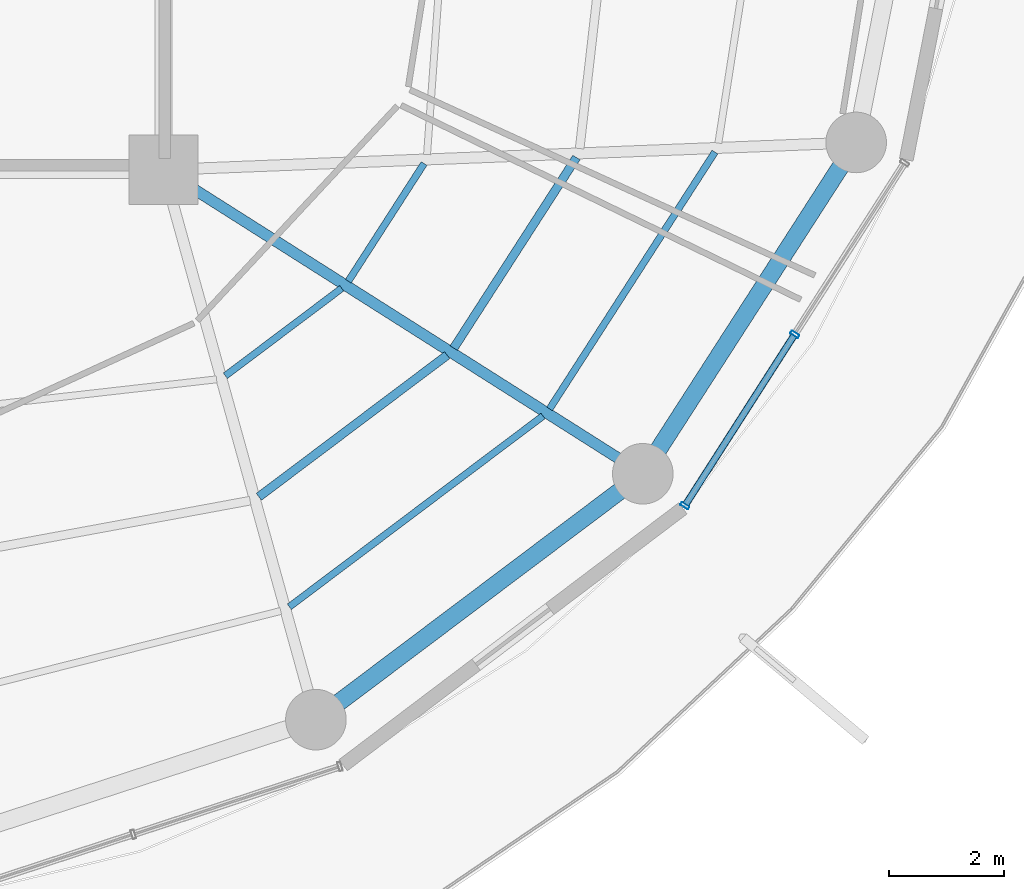
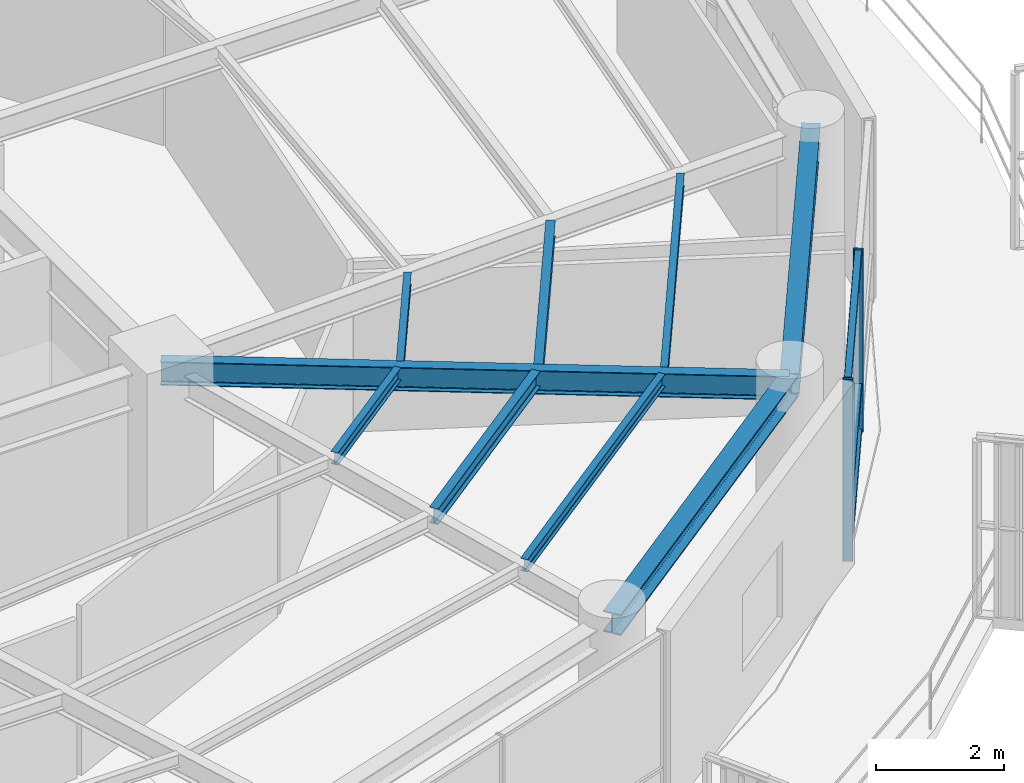
# One storey, part 11 of 30: 9 beams, 5 members, 1 element without a shape of its own.
"""IFC4 building model written with IfcOpenShell, lengths in metres."""

from ifc_helpers import new_model, si_unit, direction, frame, origin, origin_2d, place, context, subcontext, project, spatial, hollow_rectangle, i_section, extrude, material, layer, layer_set, material_profile, profile_set, type_object, element, aggregate, save


model = new_model("IFC4")

# Units and contexts
model_context = context("Model", 3, precision=1e-05, world=origin(), true_north=direction((0.0, 1.0)))
body_context = subcontext(model_context, "Body", "Model", "MODEL_VIEW")
ifc_project = project(units=[si_unit("LENGTHUNIT", "METRE"), si_unit("AREAUNIT", "SQUARE_METRE"), si_unit("VOLUMEUNIT", "CUBIC_METRE"), si_unit("PLANEANGLEUNIT", "RADIAN"), si_unit("MASSUNIT", "GRAM", prefix="KILO")], contexts=[model_context])

# Site, building, storey
site_placement = place(None, origin())
site = spatial("IfcSite", under=ifc_project, at=site_placement, CompositionType="ELEMENT")
building_placement = place(site_placement, origin())
building = spatial("IfcBuilding", under=site, at=building_placement, Name="Kelanora Arch Commons", CompositionType="ELEMENT")
storey_placement = place(building_placement, frame((0.0, 0.0, 211.949951171875)))
storey = spatial("IfcBuildingStorey", under=building, at=storey_placement, Name="L54", CompositionType="ELEMENT", Elevation=211.949951171875)

# Beams
ifc_material_1 = material(Name="Steel S355", Category="steel")
ifc_material_profile_1 = material_profile(ifc_material_1, i_section(OverallWidth=0.14990234375, OverallDepth=0.300048828125, WebThickness=0.007080078125, FlangeThickness=0.0107421875, FilletRadius=0.014892578125, at=origin_2d()), Name="IPE300")
ifc_profile_set_1 = profile_set([ifc_material_profile_1], Name="Steel S355")
beam_type_1 = type_object("IfcBeamType", Name="BM-JST-01", PredefinedType="JOIST", material=ifc_profile_set_1)
beam_1_placement = place(storey_placement, frame((83.65185546875, 45.3369140625, 3.340087890625), z_axis=(0.799101708656, 0.601195857624, 0.0), x_axis=(-0.601195857624, 0.799101708656, 0.0)))
element("IfcBeam", 1, at=beam_1_placement, inside=storey, type_object=beam_type_1, Name="Secondary Chord Joist BJB-30 L54", PredefinedType="JOIST", context=body_context, shape_type="SweptSolid", body=[
    extrude(i_section(OverallWidth=0.14990234375, OverallDepth=0.300048828125, WebThickness=0.007080078125, FlangeThickness=0.0107421875, FilletRadius=0.014892578125, at=origin_2d()), origin(), (0.0, 0.0, 1.0), 4.080810546875),
])
beam_2_placement = place(storey_placement, frame((87.02685546875, 47.912841796875, 3.340087890625), z_axis=(0.541411265892, 0.840757896879, 0.0), x_axis=(-0.840757896879, 0.541411265892, 0.0)))
element("IfcBeam", 2, at=beam_2_placement, inside=storey, type_object=beam_type_1, Name="Secondary Chord Joist BJB-32 L54", PredefinedType="JOIST", context=body_context, shape_type="SweptSolid", body=[
    extrude(i_section(OverallWidth=0.14990234375, OverallDepth=0.300048828125, WebThickness=0.007080078125, FlangeThickness=0.0107421875, FilletRadius=0.014892578125, at=origin_2d()), origin(), (0.0, 0.0, 1.0), 3.92529296875),
])
ifc_material_profile_2 = material_profile(ifc_material_1, i_section(OverallWidth=0.1201171875, OverallDepth=0.239990234375, WebThickness=0.006103515625, FlangeThickness=0.009765625, FilletRadius=0.014892578125, at=origin_2d()), Name="IPE240")
ifc_profile_set_2 = profile_set([ifc_material_profile_2], Name="Steel S355")
beam_type_2 = type_object("IfcBeamType", Name="BM-JST-02", PredefinedType="JOIST", material=ifc_profile_set_2)
beam_3_placement = place(storey_placement, frame((83.071044921875, 47.43212890625, 3.3701171875), z_axis=(0.79911638933, 0.601176343766, 0.0), x_axis=(-0.601176343766, 0.79911638933, 0.0)))
element("IfcBeam", 3, at=beam_3_placement, inside=storey, type_object=beam_type_2, Name="Secondary Chord Joist BJA-30 L54", PredefinedType="JOIST", context=body_context, shape_type="SweptSolid", body=[
    extrude(i_section(OverallWidth=0.1201171875, OverallDepth=0.239990234375, WebThickness=0.006103515625, FlangeThickness=0.009765625, FilletRadius=0.014892578125, at=origin_2d()), origin(), (0.0, 0.0, 1.0), 2.522216796875),
])
beam_4_placement = place(storey_placement, frame((84.179931640625, 43.43212890625, 3.3701171875), z_axis=(0.799109197935, 0.601185902842, 0.0), x_axis=(-0.601185902842, 0.799109197935, 0.0)))
element("IfcBeam", 4, at=beam_4_placement, inside=storey, type_object=beam_type_2, Name="Secondary Chord Joist BJC-30 L54", PredefinedType="JOIST", context=body_context, shape_type="SweptSolid", body=[
    extrude(i_section(OverallWidth=0.1201171875, OverallDepth=0.239990234375, WebThickness=0.006103515625, FlangeThickness=0.009765625, FilletRadius=0.014892578125, at=origin_2d()), origin(), (0.0, 0.0, 1.0), 5.497802734375),
])
beam_5_placement = place(storey_placement, frame((85.20068359375, 49.071044921875, 3.3701171875), z_axis=(0.541332763503, 0.840808443796, 0.0), x_axis=(-0.840808443796, 0.541332763503, 0.0)))
element("IfcBeam", 5, at=beam_5_placement, inside=storey, type_object=beam_type_2, Name="Secondary Chord Joist BJA-32 L54", PredefinedType="JOIST", context=body_context, shape_type="SweptSolid", body=[
    extrude(i_section(OverallWidth=0.1201171875, OverallDepth=0.239990234375, WebThickness=0.006103515625, FlangeThickness=0.009765625, FilletRadius=0.014892578125, at=origin_2d()), origin(), (0.0, 0.0, 1.0), 2.423583984375),
])
beam_6_placement = place(storey_placement, frame((88.68701171875, 46.85986328125, 3.3701171875), z_axis=(0.541382492679, 0.840776424872, 0.0), x_axis=(-0.840776424872, 0.541382492679, 0.0)))
element("IfcBeam", 6, at=beam_6_placement, inside=storey, type_object=beam_type_2, Name="Secondary Chord Joist BJC-32 L54", PredefinedType="JOIST", context=body_context, shape_type="SweptSolid", body=[
    extrude(i_section(OverallWidth=0.1201171875, OverallDepth=0.239990234375, WebThickness=0.006103515625, FlangeThickness=0.009765625, FilletRadius=0.014892578125, at=origin_2d()), origin(), (0.0, 0.0, 1.0), 5.29052734375),
])
ifc_material_profile_3 = material_profile(ifc_material_1, i_section(OverallWidth=0.18994140625, OverallDepth=0.449951171875, WebThickness=0.009521484375, FlangeThickness=0.0146484375, FilletRadius=0.02099609375, at=origin_2d()), Name="IPE450")
ifc_profile_set_3 = profile_set([ifc_material_profile_3], Name="Steel S355")
beam_type_3 = type_object("IfcBeamType", Name="BM-RAD-Z4", PredefinedType="BEAM", material=ifc_profile_set_3)
beam_7_placement = place(storey_placement, frame((82.0, 51.0, 3.26513671875), z_axis=(0.844507208607, -0.535544185489, 0.0), x_axis=(0.535544185489, 0.844507208607, 0.0)))
element("IfcBeam", 7, at=beam_7_placement, inside=storey, type_object=beam_type_3, Name="Radial Floor Girder BR-32 L54", PredefinedType="BEAM", context=body_context, shape_type="SweptSolid", body=[
    extrude(i_section(OverallWidth=0.18994140625, OverallDepth=0.449951171875, WebThickness=0.009521484375, FlangeThickness=0.0146484375, FilletRadius=0.02099609375, at=origin_2d()), origin(), (0.0, 0.0, 1.0), 9.830078125),
])
ifc_material_profile_4 = material_profile(ifc_material_1, i_section(OverallWidth=0.300048828125, OverallDepth=0.39990234375, WebThickness=0.013427734375, FlangeThickness=0.02392578125, FilletRadius=0.027099609375, at=origin_2d()), Name="HEB400")
ifc_profile_set_4 = profile_set([ifc_material_profile_4], Name="Steel S355")
beam_type_4 = type_object("IfcBeamType", Name="BM-SPN-Z4", PredefinedType="SPANDREL", material=ifc_profile_set_4)
beam_8_placement = place(storey_placement, frame((84.639892578125, 41.476318359375, 3.2900390625), z_axis=(0.799114211715, 0.60117923836, 0.0), x_axis=(-0.60117923836, 0.799114211715, 0.0)))
element("IfcBeam", 8, at=beam_8_placement, inside=storey, type_object=beam_type_4, Name="Perimeter Spandrel Beam BS-30 L54", PredefinedType="SPANDREL", context=body_context, shape_type="SweptSolid", body=[
    extrude(i_section(OverallWidth=0.300048828125, OverallDepth=0.39990234375, WebThickness=0.013427734375, FlangeThickness=0.02392578125, FilletRadius=0.027099609375, at=origin_2d()), origin(), (0.0, 0.0, 1.0), 7.0849609375),
])
beam_9_placement = place(storey_placement, frame((90.301513671875, 45.735595703125, 3.2900390625), z_axis=(0.541364878868, 0.840787766281, 0.0), x_axis=(-0.840787766281, 0.541364878868, 0.0)))
element("IfcBeam", 9, at=beam_9_placement, inside=storey, type_object=beam_type_4, Name="Perimeter Spandrel Beam BS-32 L54", PredefinedType="SPANDREL", context=body_context, shape_type="SweptSolid", body=[
    extrude(i_section(OverallWidth=0.300048828125, OverallDepth=0.39990234375, WebThickness=0.013427734375, FlangeThickness=0.02392578125, FilletRadius=0.027099609375, at=origin_2d()), origin(), (0.0, 0.0, 1.0), 6.825439453125),
])

# Curtain wall, members
ifc_material_2 = material(Name="Terracotta ceramic-fritted low-E glass and aluminium", Category="masonry")
ifc_layer = layer(ifc_material_2, 0.175048828125)
ifc_layer_set = layer_set([ifc_layer], Name="Terracotta ceramic-fritted low-E glass and aluminium")
curtain_wall_type = type_object("IfcCurtainWallType", Name="CW-SYS-02", PredefinedType="NOTDEFINED", material=ifc_layer_set)
curtain_wall_placement = place(storey_placement, origin())
curtain_wall = element("IfcCurtainWall", 10, at=curtain_wall_placement, inside=storey, type_object=curtain_wall_type, Name="Unitised Curtain Wall L54-B16", PredefinedType="NOTDEFINED")
ifc_material_3 = material(Name="Powder-coated aluminium terracotta", Category="masonry")
ifc_material_profile_5 = material_profile(ifc_material_3, hollow_rectangle(XDim=0.159912109375, YDim=0.06005859375, WallThickness=0.0048828125, InnerFilletRadius=0.0048828125, OuterFilletRadius=0.010009765625, at=origin_2d()), Name="CWM160x60")
ifc_profile_set_5 = profile_set([ifc_material_profile_5], Name="Powder-coated aluminium terracotta")
member_type_1 = type_object("IfcMemberType", Name="CWM-STD", PredefinedType="MULLION", material=ifc_profile_set_5)
member_1_placement = place(storey_placement, frame((91.030517578125, 45.18212890625, 0.0), z_axis=(0.0, 0.0, 1.0), x_axis=(-0.84194757539, 0.539559338994, 0.0)))
member_1 = element("IfcMember", 11, at=member_1_placement, type_object=member_type_1, Name="CW-02 mullion 1", PredefinedType="MULLION", context=body_context, shape_type="SweptSolid", body=[
    extrude(hollow_rectangle(XDim=0.159912109375, YDim=0.06005859375, WallThickness=0.0048828125, InnerFilletRadius=0.0048828125, OuterFilletRadius=0.010009765625, at=origin_2d()), origin(), (0.0, 0.0, 1.0), 3.47509765625),
])
member_2_placement = place(storey_placement, frame((92.93359375, 48.15185546875, 0.0), z_axis=(0.0, 0.0, 1.0), x_axis=(-0.84194757539, 0.539559338994, 0.0)))
member_2 = element("IfcMember", 12, at=member_2_placement, type_object=member_type_1, Name="CW-02 mullion 2", PredefinedType="MULLION", context=body_context, shape_type="SweptSolid", body=[
    extrude(hollow_rectangle(XDim=0.159912109375, YDim=0.06005859375, WallThickness=0.0048828125, InnerFilletRadius=0.0048828125, OuterFilletRadius=0.010009765625, at=origin_2d()), origin(), (0.0, 0.0, 1.0), 3.47509765625),
])
ifc_material_profile_6 = material_profile(ifc_material_3, hollow_rectangle(XDim=0.1201171875, YDim=0.06005859375, WallThickness=0.0048828125, InnerFilletRadius=0.0048828125, OuterFilletRadius=0.010009765625, at=origin_2d()), Name="CWT120x60")
ifc_profile_set_6 = profile_set([ifc_material_profile_6], Name="Powder-coated aluminium terracotta")
member_type_2 = type_object("IfcMemberType", Name="CWT-STD", PredefinedType="USERDEFINED", material=ifc_profile_set_6)
member_3_placement = place(storey_placement, frame((91.046630859375, 45.207275390625, 0.030029296875), z_axis=(0.53954710894, 0.841955412854, 0.0), x_axis=(-0.841955412854, 0.53954710894, 0.0)))
member_3 = element("IfcMember", 13, at=member_3_placement, type_object=member_type_2, Name="CW-02 transom 1.1", ObjectType="TRANSOM", PredefinedType="USERDEFINED", context=body_context, shape_type="SweptSolid", body=[
    extrude(hollow_rectangle(XDim=0.1201171875, YDim=0.06005859375, WallThickness=0.0048828125, InnerFilletRadius=0.0048828125, OuterFilletRadius=0.010009765625, at=origin_2d()), origin(), (0.0, 0.0, 1.0), 3.467529296875),
])
member_4_placement = place(storey_placement, frame((91.046630859375, 45.207275390625, 0.900146484375), z_axis=(0.53954710894, 0.841955412854, 0.0), x_axis=(-0.841955412854, 0.53954710894, 0.0)))
member_4 = element("IfcMember", 14, at=member_4_placement, type_object=member_type_2, Name="CW-02 transom 1.2", ObjectType="TRANSOM", PredefinedType="USERDEFINED", context=body_context, shape_type="SweptSolid", body=[
    extrude(hollow_rectangle(XDim=0.1201171875, YDim=0.06005859375, WallThickness=0.0048828125, InnerFilletRadius=0.0048828125, OuterFilletRadius=0.010009765625, at=origin_2d()), origin(), (0.0, 0.0, 1.0), 3.467529296875),
])
member_5_placement = place(storey_placement, frame((91.046630859375, 45.207275390625, 3.445068359375), z_axis=(0.53954710894, 0.841955412854, 0.0), x_axis=(-0.841955412854, 0.53954710894, 0.0)))
member_5 = element("IfcMember", 15, at=member_5_placement, type_object=member_type_2, Name="CW-02 transom 1.3", ObjectType="TRANSOM", PredefinedType="USERDEFINED", context=body_context, shape_type="SweptSolid", body=[
    extrude(hollow_rectangle(XDim=0.1201171875, YDim=0.06005859375, WallThickness=0.0048828125, InnerFilletRadius=0.0048828125, OuterFilletRadius=0.010009765625, at=origin_2d()), origin(), (0.0, 0.0, 1.0), 3.467529296875),
])
aggregate(curtain_wall, [member_1, member_2, member_3, member_4, member_5])

save(model, "model.ifc")
